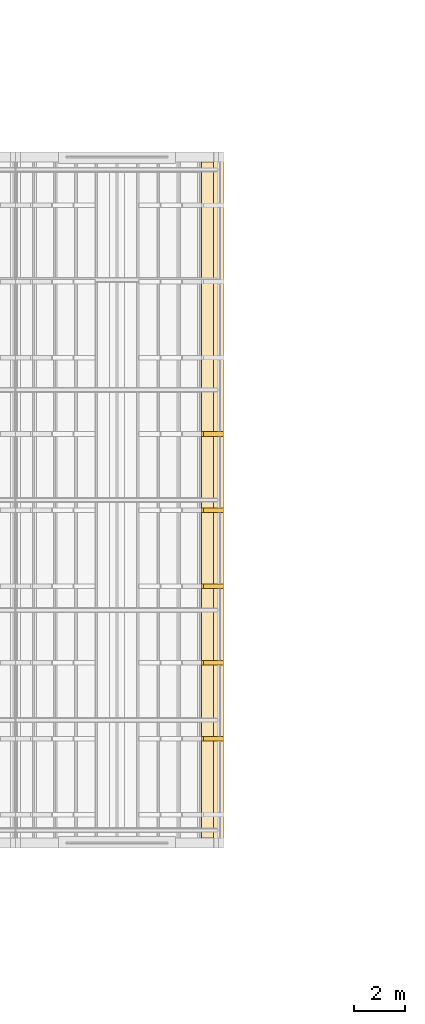
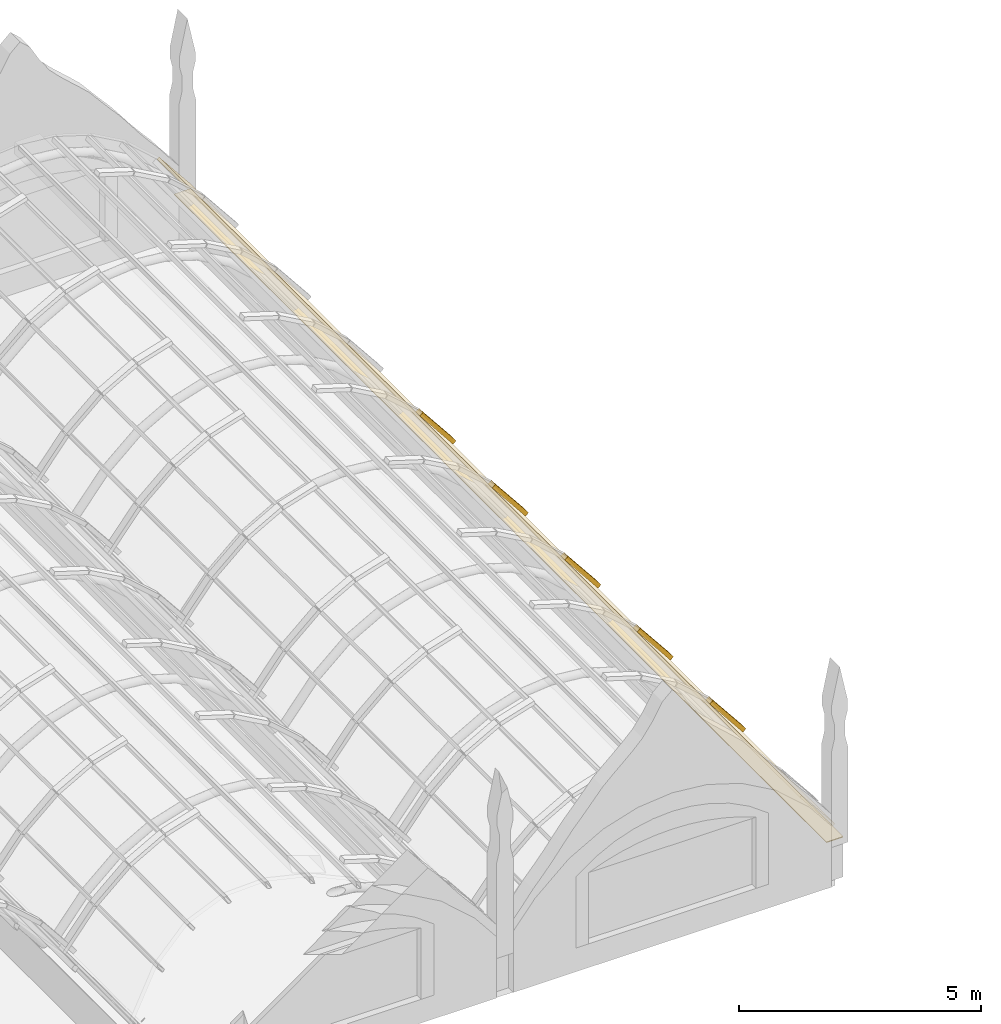
# One storey, part 98 of 111: 7 coverings.
"""IFC4 building model written with IfcOpenShell, lengths in metres."""

from ifc_helpers import new_model, si_unit, direction, frame, origin, origin_2d, place, context, subcontext, project, spatial, polyline, rectangle, outline, extrude, material, layer, layer_set, type_object, element, save


model = new_model("IFC4")

# Units and contexts
model_context = context("Model", 3, precision=1e-05, world=origin(), true_north=direction((0.0, 1.0)))
body_context = subcontext(model_context, "Body", "Model", "MODEL_VIEW")
ifc_project = project(units=[si_unit("LENGTHUNIT", "METRE"), si_unit("AREAUNIT", "SQUARE_METRE"), si_unit("VOLUMEUNIT", "CUBIC_METRE"), si_unit("PLANEANGLEUNIT", "RADIAN"), si_unit("MASSUNIT", "GRAM", prefix="KILO")], contexts=[model_context])

# Site, building, storey
site_placement = place(None, origin())
site = spatial("IfcSite", under=ifc_project, at=site_placement, CompositionType="ELEMENT")
building_placement = place(site_placement, origin())
building = spatial("IfcBuilding", under=site, at=building_placement, Name="Kallimachos Central Library", CompositionType="ELEMENT")
storey_placement = place(building_placement, frame((0.0, 0.0, 14.39990234375)))
storey = spatial("IfcBuildingStorey", under=building, at=storey_placement, Name="L03", CompositionType="ELEMENT", Elevation=14.39990234375)

# Coverings
ifc_material_1 = material(Name="Glazed ceramic roll tile")
ifc_layer_1 = layer(ifc_material_1, 0.10009765625)
ifc_layer_set_1 = layer_set([ifc_layer_1], Name="Ceramic roll tile rib 180")
covering_type_1 = type_object("IfcCoveringType", Name="Ceramic roll tile rib 180", PredefinedType="ROOFING", material=ifc_layer_set_1)
for number, where, z_axis, x_axis, name in (
    (1, (37.4033203125, 91.010009765625, 2.30224609375), (0.780793550648, 0.0, 0.624789109434), (0.624789109434, 0.0, -0.780793550648), "Barrel roof 4 roll tile rib"),
    (2, (37.4033203125, 94.010009765625, 2.30224609375), (0.780793550648, 0.0, 0.624789109434), (0.624789109434, 0.0, -0.780793550648), "Barrel roof 4 roll tile rib"),
    (3, (37.4033203125, 97.010009765625, 2.30224609375), (0.780793550648, 0.0, 0.624789109434), (0.624789109434, 0.0, -0.780793550648), "Barrel roof 4 roll tile rib"),
    (4, (37.4033203125, 100.010009765625, 2.30224609375), (0.780793550648, 0.0, 0.624789109434), (0.624789109434, 0.0, -0.780793550648), "Barrel roof 4 roll tile rib"),
    (5, (37.4033203125, 103.010009765625, 2.30224609375), (0.780793550648, 0.0, 0.624789109434), (0.624789109434, 0.0, -0.780793550648), "Barrel roof 4 roll tile rib"),
):
    element("IfcCovering", number, at=place(storey_placement, frame(where, z_axis=z_axis, x_axis=x_axis)), inside=storey, type_object=covering_type_1, Name=name, PredefinedType="ROOFING", context=body_context, shape_type="SweptSolid", body=[
        extrude(outline(polyline([(0.0, 0.0), (1.266052197543391, 0.0), (1.266052197543391, 0.179931640625), (0.0, 0.179931640625), (0.0, 0.0)])), origin(), (0.0, 0.0, -1.0), 0.10009765625),
    ])
ifc_material_2 = material(Name="Lead-coated copper sheet")
ifc_layer_2 = layer(ifc_material_2, 0.02001953125)
ifc_layer_set_2 = layer_set([ifc_layer_2], Name="Valley gutter lining")
covering_type_2 = type_object("IfcCoveringType", Name="Valley gutter lining", PredefinedType="MEMBRANE", material=ifc_layer_set_2)
covering_1_placement = place(storey_placement, frame((38.0, 100.5, 1.0), z_axis=(0.0, 0.0, 1.0), x_axis=(1.0, 0.0, 0.0)))
element("IfcCovering", 6, at=covering_1_placement, inside=storey, type_object=covering_type_2, Name="Gutter lining line 5", PredefinedType="MEMBRANE", context=body_context, shape_type="SweptSolid", body=[
    extrude(rectangle(XDim=0.39990234375, YDim=27.0, at=origin_2d()), origin(), (0.0, 0.0, 1.0), 0.02001953125),
])
ifc_material_3 = material(Name="Vitreous ceramic tile")
ifc_layer_3 = layer(ifc_material_3, 0.06005859375)
ifc_layer_set_3 = layer_set([ifc_layer_3], Name="Vitreous ceramic tile roofing")
covering_type_3 = type_object("IfcCoveringType", Name="Vitreous ceramic tile roofing", PredefinedType="ROOFING", material=ifc_layer_set_3)
covering_2_placement = place(storey_placement, frame((37.3251953125, 87.199951171875, 2.23974609375), z_axis=(0.780793550648, 0.0, 0.624789109434), x_axis=(0.624789109434, 0.0, -0.780793550648)))
element("IfcCovering", 7, at=covering_2_placement, inside=storey, type_object=covering_type_3, Name="Barrel roof 4 tile panel 10", PredefinedType="ROOFING", context=body_context, shape_type="SweptSolid", body=[
    extrude(outline(polyline([(0.0, 0.0), (1.266052197543391, 0.0), (1.266052197543391, 26.60009765625), (0.0, 26.60009765625), (0.0, 0.0)])), origin(), (0.0, 0.0, -1.0), 0.06005859375),
])

save(model, "model.ifc")
